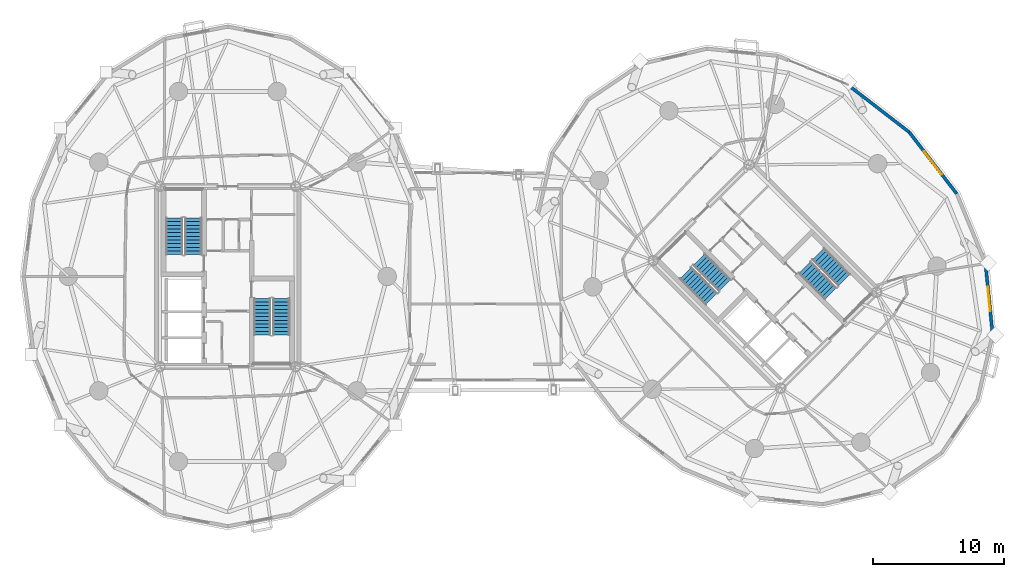
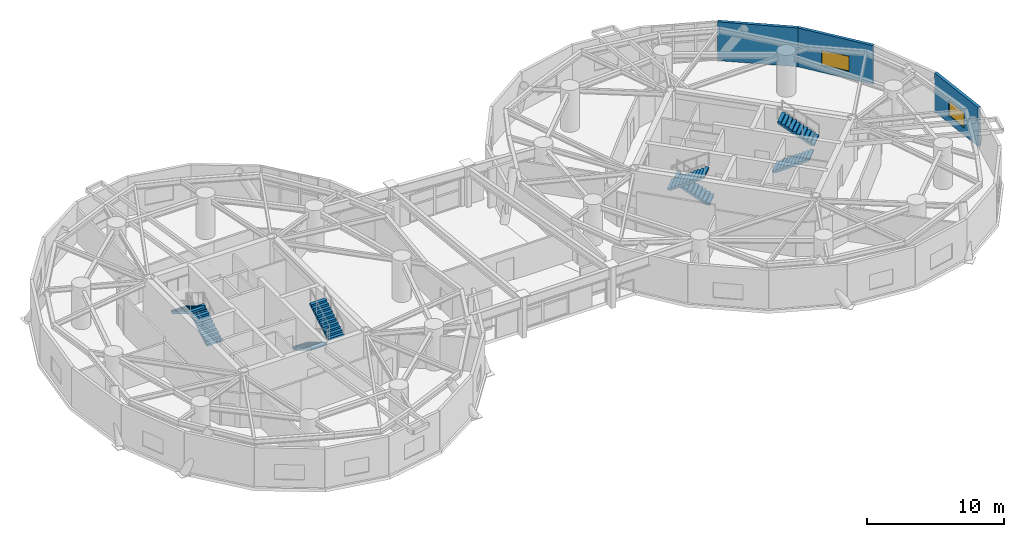
# One storey, part 18 of 20: 8 stair flights, 3 walls, 2 windows, 2 openings, 4 elements without a shape of their own.
"""IFC4 building model written with IfcOpenShell, lengths in metres."""

from ifc_helpers import new_model, si_unit, direction, frame, frame_2d, origin, place, context, subcontext, project, spatial, polyline, rectangle, outline, extrude, source, transform, mapped, material, layer, layer_set, type_object, element, fill, aggregate, save


model = new_model("IFC4")

# Units and contexts
model_context = context("Model", 3, precision=1e-05, world=origin(), true_north=direction((0.0, 1.0)))
body_context = subcontext(model_context, "Body", "Model", "MODEL_VIEW")
ifc_project = project(units=[si_unit("LENGTHUNIT", "METRE"), si_unit("AREAUNIT", "SQUARE_METRE"), si_unit("VOLUMEUNIT", "CUBIC_METRE"), si_unit("PLANEANGLEUNIT", "RADIAN"), si_unit("MASSUNIT", "GRAM", prefix="KILO")], contexts=[model_context])

# Site, building, storey
site_placement = place(None, origin())
site = spatial("IfcSite", under=ifc_project, at=site_placement, CompositionType="ELEMENT")
building_placement = place(site_placement, origin())
building = spatial("IfcBuilding", under=site, at=building_placement, Name="Cununo Teusaquillo Station Towers", CompositionType="ELEMENT")
storey_placement = place(building_placement, frame((0.0, 0.0, 140.320068359375)))
storey = spatial("IfcBuildingStorey", under=building, at=storey_placement, Name="L44", CompositionType="ELEMENT", Elevation=140.320068359375)

# Wall
ifc_material_1 = material(Name="Precast concrete C40/50", Category="concrete")
ifc_layer = layer(ifc_material_1, 0.239990234375)
ifc_layer_set = layer_set([ifc_layer], Name="Precast concrete C40/50")
wall_type = type_object("IfcWallType", Name="WL-EXT-240", PredefinedType="SOLIDWALL", material=ifc_layer_set)
wall_1_placement = place(storey_placement, frame((63.811279296875, 39.145263671875, 0.0), z_axis=(0.0, 0.0, 1.0), x_axis=(0.791982052206, -0.61054437102, 0.0)))
element("IfcWall", 1, at=wall_1_placement, inside=storey, type_object=wall_type, Name="L44 Tower B Exterior Facade Wall C00", PredefinedType="SOLIDWALL", context=body_context, shape_type="SweptSolid", body=[
    extrude(rectangle(XDim=5.942138671875, YDim=0.239990234375, at=frame_2d((2.97119140625, 0.0))), origin(), (0.0, 0.0, 1.0), 3.46484375),
])

# Wall, opening, window
wall_2_placement = place(storey_placement, frame((74.33935546875, 25.4873046875, 0.0), z_axis=(0.0, 0.0, 1.0), x_axis=(0.10015591906, -0.994971754311, 0.0)))
wall_2 = element("IfcWall", 2, at=wall_2_placement, inside=storey, type_object=wall_type, Name="L44 Tower B Exterior Facade Wall C17", PredefinedType="SOLIDWALL", context=body_context, shape_type="SweptSolid", body=[
    extrude(rectangle(XDim=5.447998046875, YDim=0.239990234375, at=frame_2d((2.72412109375, 0.0))), origin(), (0.0, 0.0, 1.0), 3.46484375),
])
shared_shape_1 = source(origin(), body_context, "Body", "SweptSolid", [
    extrude(rectangle(XDim=1.89990234375, YDim=1.35009765625, at=frame_2d((0.949951171875, 0.675048828125))), frame((0.0, 0.1298828125, 0.0), z_axis=(0.0, -1.0, 0.0), x_axis=(1.0, 0.0, 0.0)), (0.0, 0.0, 1.0), 0.260009765625),
])
opening_1_placement = place(wall_2_placement, frame((1.77392578125, 0.0, 0.64990234375)))
opening_1 = element("IfcOpeningElement", 3, at=opening_1_placement, cuts=wall_2, Name="Opening WN-02", PredefinedType="OPENING", context=body_context, shape_type="MappedRepresentation", body=[
    mapped(shared_shape_1, transform((0.0, 0.0, 0.0), x_axis=(1.0, 0.0, 0.0), y_axis=(0.0, 1.0, 0.0), z_axis=(0.0, 0.0, 1.0), scale=1.0)),
])
ifc_material_2 = material(Name="Operable acoustic tinted low-E double glazing", Category="glass")
window_type_1 = type_object("IfcWindowType", Name="WIN-OPER-1900", PartitioningType="DOUBLE_PANEL_VERTICAL", PredefinedType="WINDOW", material=ifc_material_2)
shared_shape_2 = source(origin(), body_context, "Body", "SweptSolid", [
    extrude(rectangle(XDim=1.89990234375, YDim=1.35009765625, at=frame_2d((0.949951171875, 0.675048828125))), frame((0.0, 0.030029296875, 0.0), z_axis=(0.0, -1.0, 0.0), x_axis=(1.0, 0.0, 0.0)), (0.0, 0.0, 1.0), 0.06005859375),
])
window_1_placement = place(opening_1_placement, origin())
window_1 = element("IfcWindow", 4, at=window_1_placement, inside=storey, type_object=window_type_1, Name="L44 Tower B Facade Window C17", OverallHeight=1.35009765625, OverallWidth=1.89990234375, PartitioningType="DOUBLE_PANEL_VERTICAL", PredefinedType="WINDOW", context=body_context, shape_type="MappedRepresentation", body=[
    mapped(shared_shape_2, transform((0.0, 0.0, 0.0), x_axis=(1.0, 0.0, 0.0), y_axis=(0.0, 1.0, 0.0), z_axis=(0.0, 0.0, 1.0), scale=1.0)),
])
fill(opening_1, window_1)

wall_3_placement = place(storey_placement, frame((68.517333984375, 35.517333984375, 0.0), z_axis=(0.0, 0.0, 1.0), x_axis=(0.61054437102, -0.791982052206, 0.0)))
wall_3 = element("IfcWall", 5, at=wall_3_placement, inside=storey, type_object=wall_type, Name="L44 Tower B Exterior Facade Wall C19", PredefinedType="SOLIDWALL", context=body_context, shape_type="SweptSolid", body=[
    extrude(rectangle(XDim=5.942138671875, YDim=0.239990234375, at=frame_2d((2.97119140625, 0.0))), origin(), (0.0, 0.0, 1.0), 3.46484375),
])
shared_shape_3 = source(origin(), body_context, "Body", "SweptSolid", [
    extrude(rectangle(XDim=2.199951171875, YDim=1.35009765625, at=frame_2d((1.10009765625, 0.675048828125))), frame((0.0, 0.1298828125, 0.0), z_axis=(0.0, -1.0, 0.0), x_axis=(1.0, 0.0, 0.0)), (0.0, 0.0, 1.0), 0.260009765625),
])
opening_2_placement = place(wall_3_placement, frame((1.87109375, 0.0, 0.64990234375)))
opening_2 = element("IfcOpeningElement", 6, at=opening_2_placement, cuts=wall_3, Name="Opening WN-01", PredefinedType="OPENING", context=body_context, shape_type="MappedRepresentation", body=[
    mapped(shared_shape_3, transform((0.0, 0.0, 0.0), x_axis=(1.0, 0.0, 0.0), y_axis=(0.0, 1.0, 0.0), z_axis=(0.0, 0.0, 1.0), scale=1.0)),
])
ifc_material_3 = material(Name="Ceramic-fritted dark low-E double glazing", Category="glass")
window_type_2 = type_object("IfcWindowType", Name="WIN-FRIT-2200", PartitioningType="DOUBLE_PANEL_VERTICAL", PredefinedType="WINDOW", material=ifc_material_3)
shared_shape_4 = source(origin(), body_context, "Body", "SweptSolid", [
    extrude(rectangle(XDim=2.199951171875, YDim=1.35009765625, at=frame_2d((1.10009765625, 0.675048828125))), frame((0.0, 0.030029296875, 0.0), z_axis=(0.0, -1.0, 0.0), x_axis=(1.0, 0.0, 0.0)), (0.0, 0.0, 1.0), 0.06005859375),
])
window_2_placement = place(opening_2_placement, origin())
window_2 = element("IfcWindow", 7, at=window_2_placement, inside=storey, type_object=window_type_2, Name="L44 Tower B Facade Window C19", OverallHeight=1.35009765625, OverallWidth=2.199951171875, PartitioningType="DOUBLE_PANEL_VERTICAL", PredefinedType="WINDOW", context=body_context, shape_type="MappedRepresentation", body=[
    mapped(shared_shape_4, transform((0.0, 0.0, 0.0), x_axis=(1.0, 0.0, 0.0), y_axis=(0.0, 1.0, 0.0), z_axis=(0.0, 0.0, 1.0), scale=1.0)),
])
fill(opening_2, window_2)

# Stair, stair flights
ifc_material_4 = material(Name="Concrete C50/60", Category="concrete")
stair_type = type_object("IfcStairType", Name="ST-TWR-1300", PredefinedType="HALF_TURN_STAIR", material=ifc_material_4)
stair_1_placement = place(storey_placement, origin())
stair_1 = element("IfcStair", 8, at=stair_1_placement, inside=storey, type_object=stair_type, Name="L44 Tower A Protected Core Exit Stair 1", PredefinedType="HALF_TURN_STAIR")
ifc_material_5 = material(Name="Concrete C50/60", Category="concrete")
stair_flight_type = type_object("IfcStairFlightType", Name="SFL-TWR-1300", PredefinedType="STRAIGHT", material=ifc_material_5)
stair_flight_1_placement = place(storey_placement, frame((13.8701171875, 26.169921875, 0.0), z_axis=(0.0, 0.0, 1.0), x_axis=(0.0, 1.0, 0.0)))
stair_flight_1 = element("IfcStairFlight", 9, at=stair_flight_1_placement, type_object=stair_flight_type, Name="ST-T1-1 flight 1", NumberOfRisers=11, NumberOfTreads=10, PredefinedType="STRAIGHT", RiserHeight=0.169090909, TreadLength=0.28, context=body_context, shape_type="SweptSolid", body=[
    extrude(outline(polyline([(0.0, 0.0), (0.0, 0.169189453125), (0.280029296875, 0.169189453125), (0.280029296875, 0.338134765625), (0.56005859375, 0.338134765625), (0.56005859375, 0.50732421875), (0.840087890625, 0.50732421875), (0.840087890625, 0.67626953125), (1.1201171875, 0.67626953125), (1.1201171875, 0.845458984375), (1.39990234375, 0.845458984375), (1.39990234375, 1.0146484375), (1.679931640625, 1.0146484375), (1.679931640625, 1.18359375), (1.9599609375, 1.18359375), (1.9599609375, 1.352783203125), (2.239990234375, 1.352783203125), (2.239990234375, 1.521728515625), (2.52001953125, 1.521728515625), (2.52001953125, 1.69091796875), (2.800048828125, 1.69091796875), (2.800048828125, 1.860107421875), (2.800048828125, 1.515869140625), (0.2900390625, 0.0), (0.0, 0.0)])), frame((0.0, 0.64990234375, 0.0), z_axis=(0.0, -1.0, 0.0), x_axis=(1.0, 0.0, 0.0)), (0.0, 0.0, 1.0), 1.300048828125),
])
stair_flight_2_placement = place(storey_placement, frame((12.409912109375, 28.969970703125, 1.85986328125), z_axis=(0.0, 0.0, 1.0), x_axis=(0.0, -1.0, 0.0)))
stair_flight_2 = element("IfcStairFlight", 10, at=stair_flight_2_placement, type_object=stair_flight_type, Name="ST-T1-1 flight 2", NumberOfRisers=11, NumberOfTreads=10, PredefinedType="STRAIGHT", RiserHeight=0.169090909, TreadLength=0.28, context=body_context, shape_type="SweptSolid", body=[
    extrude(outline(polyline([(0.0, 0.0), (0.0, 0.169189453125), (0.280029296875, 0.169189453125), (0.280029296875, 0.338134765625), (0.56005859375, 0.338134765625), (0.56005859375, 0.50732421875), (0.840087890625, 0.50732421875), (0.840087890625, 0.67626953125), (1.1201171875, 0.67626953125), (1.1201171875, 0.845458984375), (1.39990234375, 0.845458984375), (1.39990234375, 1.0146484375), (1.679931640625, 1.0146484375), (1.679931640625, 1.18359375), (1.9599609375, 1.18359375), (1.9599609375, 1.352783203125), (2.239990234375, 1.352783203125), (2.239990234375, 1.521728515625), (2.52001953125, 1.521728515625), (2.52001953125, 1.69091796875), (2.800048828125, 1.69091796875), (2.800048828125, 1.860107421875), (2.800048828125, 1.515869140625), (0.2900390625, 0.0), (0.0, 0.0)])), frame((0.0, 0.64990234375, 0.0), z_axis=(0.0, -1.0, 0.0), x_axis=(1.0, 0.0, 0.0)), (0.0, 0.0, 1.0), 1.300048828125),
])
aggregate(stair_1, [stair_flight_1, stair_flight_2])

stair_2_placement = place(storey_placement, origin())
stair_2 = element("IfcStair", 11, at=stair_2_placement, inside=storey, type_object=stair_type, Name="L44 Tower A Protected Core Exit Stair 2", PredefinedType="HALF_TURN_STAIR")
stair_flight_3_placement = place(storey_placement, frame((19.1298828125, 22.830078125, 0.0), z_axis=(0.0, 0.0, 1.0), x_axis=(0.0, -1.0, 0.0)))
stair_flight_3 = element("IfcStairFlight", 12, at=stair_flight_3_placement, type_object=stair_flight_type, Name="ST-T1-2 flight 1", NumberOfRisers=11, NumberOfTreads=10, PredefinedType="STRAIGHT", RiserHeight=0.169090909, TreadLength=0.28, context=body_context, shape_type="SweptSolid", body=[
    extrude(outline(polyline([(0.0, 0.0), (0.0, 0.169189453125), (0.280029296875, 0.169189453125), (0.280029296875, 0.338134765625), (0.56005859375, 0.338134765625), (0.56005859375, 0.50732421875), (0.840087890625, 0.50732421875), (0.840087890625, 0.67626953125), (1.1201171875, 0.67626953125), (1.1201171875, 0.845458984375), (1.39990234375, 0.845458984375), (1.39990234375, 1.0146484375), (1.679931640625, 1.0146484375), (1.679931640625, 1.18359375), (1.9599609375, 1.18359375), (1.9599609375, 1.352783203125), (2.239990234375, 1.352783203125), (2.239990234375, 1.521728515625), (2.52001953125, 1.521728515625), (2.52001953125, 1.69091796875), (2.800048828125, 1.69091796875), (2.800048828125, 1.860107421875), (2.800048828125, 1.515869140625), (0.2900390625, 0.0), (0.0, 0.0)])), frame((0.0, 0.64990234375, 0.0), z_axis=(0.0, -1.0, 0.0), x_axis=(1.0, 0.0, 0.0)), (0.0, 0.0, 1.0), 1.300048828125),
])
stair_flight_4_placement = place(storey_placement, frame((20.590087890625, 20.030029296875, 1.85986328125), z_axis=(0.0, 0.0, 1.0), x_axis=(0.0, 1.0, 0.0)))
stair_flight_4 = element("IfcStairFlight", 13, at=stair_flight_4_placement, type_object=stair_flight_type, Name="ST-T1-2 flight 2", NumberOfRisers=11, NumberOfTreads=10, PredefinedType="STRAIGHT", RiserHeight=0.169090909, TreadLength=0.28, context=body_context, shape_type="SweptSolid", body=[
    extrude(outline(polyline([(0.0, 0.0), (0.0, 0.169189453125), (0.280029296875, 0.169189453125), (0.280029296875, 0.338134765625), (0.56005859375, 0.338134765625), (0.56005859375, 0.50732421875), (0.840087890625, 0.50732421875), (0.840087890625, 0.67626953125), (1.1201171875, 0.67626953125), (1.1201171875, 0.845458984375), (1.39990234375, 0.845458984375), (1.39990234375, 1.0146484375), (1.679931640625, 1.0146484375), (1.679931640625, 1.18359375), (1.9599609375, 1.18359375), (1.9599609375, 1.352783203125), (2.239990234375, 1.352783203125), (2.239990234375, 1.521728515625), (2.52001953125, 1.521728515625), (2.52001953125, 1.69091796875), (2.800048828125, 1.69091796875), (2.800048828125, 1.860107421875), (2.800048828125, 1.515869140625), (0.2900390625, 0.0), (0.0, 0.0)])), frame((0.0, 0.64990234375, 0.0), z_axis=(0.0, -1.0, 0.0), x_axis=(1.0, 0.0, 0.0)), (0.0, 0.0, 1.0), 1.300048828125),
])
aggregate(stair_2, [stair_flight_3, stair_flight_4])

stair_3_placement = place(storey_placement, origin())
stair_3 = element("IfcStair", 14, at=stair_3_placement, inside=storey, type_object=stair_type, Name="L44 Tower B Protected Core Exit Stair 1", PredefinedType="HALF_TURN_STAIR")
stair_flight_5_placement = place(storey_placement, frame((54.45947265625, 23.8212890625, 0.0), z_axis=(0.0, 0.0, 1.0), x_axis=(-0.707106781187, 0.707106781187, 0.0)))
stair_flight_5 = element("IfcStairFlight", 15, at=stair_flight_5_placement, type_object=stair_flight_type, Name="ST-T2-1 flight 1", NumberOfRisers=11, NumberOfTreads=10, PredefinedType="STRAIGHT", RiserHeight=0.169090909, TreadLength=0.28, context=body_context, shape_type="SweptSolid", body=[
    extrude(outline(polyline([(0.0, 0.0), (0.0, 0.169189453125), (0.280029296875, 0.169189453125), (0.280029296875, 0.338134765625), (0.56005859375, 0.338134765625), (0.56005859375, 0.50732421875), (0.840087890625, 0.50732421875), (0.840087890625, 0.67626953125), (1.1201171875, 0.67626953125), (1.1201171875, 0.845458984375), (1.39990234375, 0.845458984375), (1.39990234375, 1.0146484375), (1.679931640625, 1.0146484375), (1.679931640625, 1.18359375), (1.9599609375, 1.18359375), (1.9599609375, 1.352783203125), (2.239990234375, 1.352783203125), (2.239990234375, 1.521728515625), (2.52001953125, 1.521728515625), (2.52001953125, 1.69091796875), (2.800048828125, 1.69091796875), (2.800048828125, 1.860107421875), (2.800048828125, 1.515869140625), (0.2900390625, 0.0), (0.0, 0.0)])), frame((0.0, 0.64990234375, 0.0), z_axis=(0.0, -1.0, 0.0), x_axis=(1.0, 0.0, 0.0)), (0.0, 0.0, 1.0), 1.300048828125),
])
stair_flight_6_placement = place(storey_placement, frame((51.447265625, 24.768798828125, 1.85986328125), z_axis=(0.0, 0.0, 1.0), x_axis=(0.707106781187, -0.707106781187, 0.0)))
stair_flight_6 = element("IfcStairFlight", 16, at=stair_flight_6_placement, type_object=stair_flight_type, Name="ST-T2-1 flight 2", NumberOfRisers=11, NumberOfTreads=10, PredefinedType="STRAIGHT", RiserHeight=0.169090909, TreadLength=0.28, context=body_context, shape_type="SweptSolid", body=[
    extrude(outline(polyline([(0.0, 0.0), (0.0, 0.169189453125), (0.280029296875, 0.169189453125), (0.280029296875, 0.338134765625), (0.56005859375, 0.338134765625), (0.56005859375, 0.50732421875), (0.840087890625, 0.50732421875), (0.840087890625, 0.67626953125), (1.1201171875, 0.67626953125), (1.1201171875, 0.845458984375), (1.39990234375, 0.845458984375), (1.39990234375, 1.0146484375), (1.679931640625, 1.0146484375), (1.679931640625, 1.18359375), (1.9599609375, 1.18359375), (1.9599609375, 1.352783203125), (2.239990234375, 1.352783203125), (2.239990234375, 1.521728515625), (2.52001953125, 1.521728515625), (2.52001953125, 1.69091796875), (2.800048828125, 1.69091796875), (2.800048828125, 1.860107421875), (2.800048828125, 1.515869140625), (0.2900390625, 0.0), (0.0, 0.0)])), frame((0.0, 0.64990234375, 0.0), z_axis=(0.0, -1.0, 0.0), x_axis=(1.0, 0.0, 0.0)), (0.0, 0.0, 1.0), 1.300048828125),
])
aggregate(stair_3, [stair_flight_5, stair_flight_6])

stair_4_placement = place(storey_placement, origin())
stair_4 = element("IfcStair", 17, at=stair_4_placement, inside=storey, type_object=stair_type, Name="L44 Tower B Protected Core Exit Stair 2", PredefinedType="HALF_TURN_STAIR")
stair_flight_7_placement = place(storey_placement, frame((60.54052734375, 25.1787109375, 0.0), z_axis=(0.0, 0.0, 1.0), x_axis=(0.707106781187, -0.707106781187, 0.0)))
stair_flight_7 = element("IfcStairFlight", 18, at=stair_flight_7_placement, type_object=stair_flight_type, Name="ST-T2-2 flight 1", NumberOfRisers=11, NumberOfTreads=10, PredefinedType="STRAIGHT", RiserHeight=0.169090909, TreadLength=0.28, context=body_context, shape_type="SweptSolid", body=[
    extrude(outline(polyline([(0.0, 0.0), (0.0, 0.169189453125), (0.280029296875, 0.169189453125), (0.280029296875, 0.338134765625), (0.56005859375, 0.338134765625), (0.56005859375, 0.50732421875), (0.840087890625, 0.50732421875), (0.840087890625, 0.67626953125), (1.1201171875, 0.67626953125), (1.1201171875, 0.845458984375), (1.39990234375, 0.845458984375), (1.39990234375, 1.0146484375), (1.679931640625, 1.0146484375), (1.679931640625, 1.18359375), (1.9599609375, 1.18359375), (1.9599609375, 1.352783203125), (2.239990234375, 1.352783203125), (2.239990234375, 1.521728515625), (2.52001953125, 1.521728515625), (2.52001953125, 1.69091796875), (2.800048828125, 1.69091796875), (2.800048828125, 1.860107421875), (2.800048828125, 1.515869140625), (0.2900390625, 0.0), (0.0, 0.0)])), frame((0.0, 0.64990234375, 0.0), z_axis=(0.0, -1.0, 0.0), x_axis=(1.0, 0.0, 0.0)), (0.0, 0.0, 1.0), 1.300048828125),
])
stair_flight_8_placement = place(storey_placement, frame((63.552734375, 24.231201171875, 1.85986328125), z_axis=(0.0, 0.0, 1.0), x_axis=(-0.707106781187, 0.707106781187, 0.0)))
stair_flight_8 = element("IfcStairFlight", 19, at=stair_flight_8_placement, type_object=stair_flight_type, Name="ST-T2-2 flight 2", NumberOfRisers=11, NumberOfTreads=10, PredefinedType="STRAIGHT", RiserHeight=0.169090909, TreadLength=0.28, context=body_context, shape_type="SweptSolid", body=[
    extrude(outline(polyline([(0.0, 0.0), (0.0, 0.169189453125), (0.280029296875, 0.169189453125), (0.280029296875, 0.338134765625), (0.56005859375, 0.338134765625), (0.56005859375, 0.50732421875), (0.840087890625, 0.50732421875), (0.840087890625, 0.67626953125), (1.1201171875, 0.67626953125), (1.1201171875, 0.845458984375), (1.39990234375, 0.845458984375), (1.39990234375, 1.0146484375), (1.679931640625, 1.0146484375), (1.679931640625, 1.18359375), (1.9599609375, 1.18359375), (1.9599609375, 1.352783203125), (2.239990234375, 1.352783203125), (2.239990234375, 1.521728515625), (2.52001953125, 1.521728515625), (2.52001953125, 1.69091796875), (2.800048828125, 1.69091796875), (2.800048828125, 1.860107421875), (2.800048828125, 1.515869140625), (0.2900390625, 0.0), (0.0, 0.0)])), frame((0.0, 0.64990234375, 0.0), z_axis=(0.0, -1.0, 0.0), x_axis=(1.0, 0.0, 0.0)), (0.0, 0.0, 1.0), 1.300048828125),
])
aggregate(stair_4, [stair_flight_7, stair_flight_8])

save(model, "model.ifc")
